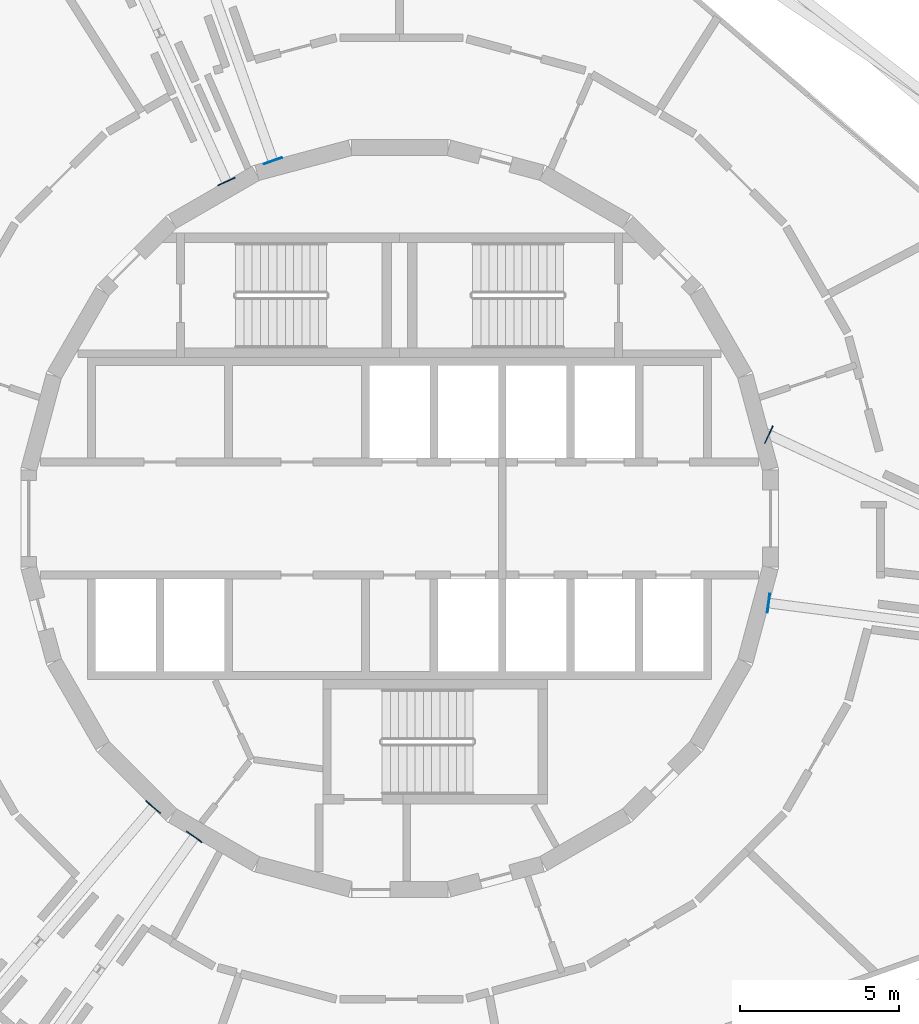
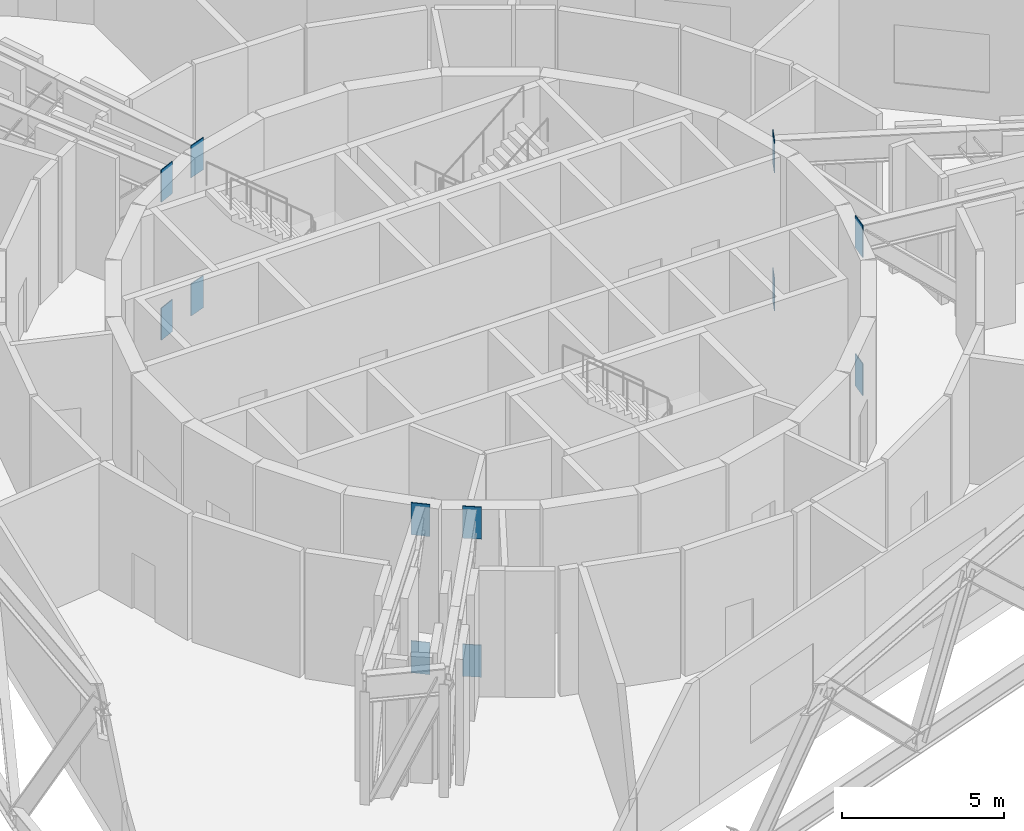
# One storey, part 11 of 12: 12 discrete accessories.
"""IFC4 building model written with IfcOpenShell, lengths in metres."""

import ifcopenshell
import ifcopenshell.guid

model = None  # the IFC model being written
_history = None  # IfcOwnerHistory: only IFC2X3 demands one
_inside = {}  # id of a spatial element -> (the spatial element, [elements in it])
_under = {}  # id of a project, library or spatial element -> (it, [spatial elements below it])
_declared = {}  # id of a project -> (the project, [libraries it declares])
_typed = {}  # id of a type object -> (the type object, [elements of that type])
_made_of = {}  # id of a material, layer set ... -> (it, [elements and type objects made of it])


def new_model(schema):
    """Start an empty IFC model of exactly this schema.

    Asked for "IFC4X3", IfcOpenShell would pick the latest addendum, in which some entities
    have other attributes; the version numbers below select the first issue.
    IFC2X3 requires an IfcOwnerHistory on every rooted entity: one is made here for all.
    """
    global model, _history
    if schema == "IFC4X3":
        model = ifcopenshell.file(schema_version=(4, 3, 0, 0))
    else:
        model = ifcopenshell.file(schema=schema)
    _inside.clear()
    _under.clear()
    _declared.clear()
    _typed.clear()
    _made_of.clear()
    _history = None
    if model.schema == "IFC2X3":
        org = make("IfcOrganization", Name="unknown")
        user = make(
            "IfcPersonAndOrganization",
            ThePerson=make("IfcPerson", FamilyName="unknown"),
            TheOrganization=org,
        )
        app = make(
            "IfcApplication",
            ApplicationDeveloper=org,
            Version="unknown",
            ApplicationFullName="unknown",
            ApplicationIdentifier="unknown",
        )
        _history = make(
            "IfcOwnerHistory",
            OwningUser=user,
            OwningApplication=app,
            ChangeAction="ADDED",
            CreationDate=0,
        )
    return model


def make(cls, **values):
    """One entity of the class cls with the attributes given. An attribute that is None is left unset."""
    return model.create_entity(
        cls, **{name: value for name, value in values.items() if value is not None}
    )


def rooted(cls, **values):
    """An entity with a GlobalId (a new one), such as an element, a storey or a relation."""
    return make(cls, GlobalId=ifcopenshell.guid.new(), OwnerHistory=_history, **values)


def si_unit(unit_type, name, prefix=None):
    """IfcSIUnit, for example si_unit("LENGTHUNIT", "METRE", prefix="MILLI")."""
    return make("IfcSIUnit", UnitType=unit_type, Prefix=prefix, Name=name)


def assignment(units):
    """IfcUnitAssignment: the units of a project."""
    return None if units is None else make("IfcUnitAssignment", Units=units)


def point(xyz):
    """IfcCartesianPoint."""
    return None if xyz is None else make("IfcCartesianPoint", Coordinates=xyz)


def direction(xyz):
    """IfcDirection."""
    return None if xyz is None else make("IfcDirection", DirectionRatios=xyz)


def frame(location, z_axis=None, x_axis=None):
    """IfcAxis2Placement3D, a coordinate frame: its origin and axes. An axis left out is left unset."""
    return make(
        "IfcAxis2Placement3D",
        Location=point(location),
        Axis=direction(z_axis),
        RefDirection=direction(x_axis),
    )


def frame_2d(location, x_axis=None):
    """IfcAxis2Placement2D, a coordinate frame in the plane: its origin and x axis."""
    return make(
        "IfcAxis2Placement2D", Location=point(location), RefDirection=direction(x_axis)
    )


def origin():
    """The frame at (0, 0, 0) with its axes left unset."""
    return frame((0.0, 0.0, 0.0))


def origin_2d():
    """The frame at (0, 0) in the plane with its x axis left unset."""
    return frame_2d((0.0, 0.0))


def place(relative_to, where):
    """IfcLocalPlacement: puts the frame where relative to a parent placement (None: the world)."""
    return make(
        "IfcLocalPlacement", PlacementRelTo=relative_to, RelativePlacement=where
    )


def context(
    kind, dimensions, precision=None, world=None, true_north=None, identifier=None
):
    """IfcGeometricRepresentationContext, for example the 3D "Model" context."""
    return make(
        "IfcGeometricRepresentationContext",
        ContextIdentifier=identifier,
        ContextType=kind,
        CoordinateSpaceDimension=dimensions,
        Precision=precision,
        WorldCoordinateSystem=world,
        TrueNorth=true_north,
    )


def subcontext(parent, identifier, kind, view, scale=None):
    """IfcGeometricRepresentationSubContext, for example "Body" below "Model"."""
    return make(
        "IfcGeometricRepresentationSubContext",
        ContextIdentifier=identifier,
        ContextType=kind,
        ParentContext=parent,
        TargetScale=scale,
        TargetView=view,
    )


def project(units=None, contexts=None):
    """IfcProject with its units and contexts."""
    return rooted(
        "IfcProject",
        Name="project",
        RepresentationContexts=contexts,
        UnitsInContext=assignment(units),
    )


def spatial(cls, under=None, at=None, **own):
    """A site, building, storey or space (cls), placed at a placement, below another one or the project."""
    s = rooted(cls, ObjectPlacement=at, **own)
    if under is not None:
        _under.setdefault(under.id(), (under, []))[1].append(s)
    return s


def profile(cls, at=None, kind="AREA", **sizes):
    """A parametric profile (cls). Its sizes go by their IFC names, for example OverallWidth=200.0."""
    return make(cls, ProfileType=kind, Position=at, **sizes)


def rectangle(**sizes):
    """IfcRectangleProfileDef."""
    return profile("IfcRectangleProfileDef", **sizes)


def extrude(swept, where, along, depth):
    """IfcExtrudedAreaSolid: the profile swept, set in the frame where, extruded along a direction by depth."""
    return make(
        "IfcExtrudedAreaSolid",
        SweptArea=swept,
        Position=where,
        ExtrudedDirection=direction(along),
        Depth=depth,
    )


def shape(context_of_items, identifier, shape_type, items):
    """IfcShapeRepresentation: the items that make up one representation, for example the "Body"."""
    return make(
        "IfcShapeRepresentation",
        ContextOfItems=context_of_items,
        RepresentationIdentifier=identifier,
        RepresentationType=shape_type,
        Items=items,
    )


def material(Name=None, Category=None):
    """IfcMaterial."""
    return make("IfcMaterial", Name=Name, Category=Category)


def layer(
    of_material, thickness, ventilated=None, Name=None, Category=None, Priority=None
):
    """IfcMaterialLayer: one layer of a wall or slab, of a material (None: an air gap)."""
    return make(
        "IfcMaterialLayer",
        Material=of_material,
        LayerThickness=thickness,
        IsVentilated=ventilated,
        Name=Name,
        Category=Category,
        Priority=Priority,
    )


def layer_set(layers, Name=None):
    """IfcMaterialLayerSet."""
    return make("IfcMaterialLayerSet", MaterialLayers=layers, LayerSetName=Name)


def made_of(thing, what):
    """Note that an element or type object is made of a material, layer set ...; save() writes the relation."""
    if what is not None:
        _made_of.setdefault(what.id(), (what, []))[1].append(thing)
    return thing


def type_object(cls, material=None, **own):
    """A type object (cls), such as IfcWallType, which elements share."""
    return made_of(rooted(cls, **own), material)


def element(
    cls,
    number,
    at=None,
    inside=None,
    cuts=None,
    type_object=None,
    material=None,
    context=None,
    identifier="Body",
    shape_type=None,
    held_by="IfcProductDefinitionShape",
    body=None,
    shapes=None,
    **own,
):
    """One element of the class cls, such as IfcWall. Its Tag is "e" and its number.

    at: its placement. inside: the storey or other place that contains it. cuts: it is an
    opening in that element (IfcRelVoidsElement). A single representation is given by context,
    identifier, shape_type and body (its items); several are given by shapes. held_by: the class
    of the entity that holds the representations. save() writes the other relations.
    """
    e = rooted(cls, Tag="e%d" % number, ObjectPlacement=at, **own)
    if body is not None:
        shapes = [shape(context, identifier, shape_type, body)]
    if shapes is not None:
        e.Representation = make(held_by, Representations=shapes)
    if inside is not None:
        _inside.setdefault(inside.id(), (inside, []))[1].append(e)
    if cuts is not None:
        rooted(
            "IfcRelVoidsElement", RelatingBuildingElement=cuts, RelatedOpeningElement=e
        )
    if type_object is not None:
        _typed.setdefault(type_object.id(), (type_object, []))[1].append(e)
    return made_of(e, material)


def aggregate(whole, parts):
    """IfcRelAggregates: a whole, such as a stair, and the parts it consists of."""
    return rooted("IfcRelAggregates", RelatingObject=whole, RelatedObjects=parts)


def save(model, path):
    """Write the relations noted so far, then the file.

    IfcRelAggregates (storeys below a building ...), IfcRelContainedInSpatialStructure (elements
    in a storey), IfcRelDefinesByType, IfcRelAssociatesMaterial and IfcRelDeclares: one each for
    every whole, place, type object, material and project.
    """
    for whole, parts in _under.values():
        aggregate(whole, parts)
    for where, things in _inside.values():
        rooted(
            "IfcRelContainedInSpatialStructure",
            RelatedElements=things,
            RelatingStructure=where,
        )
    for kind, things in _typed.values():
        rooted("IfcRelDefinesByType", RelatedObjects=things, RelatingType=kind)
    for what, things in _made_of.values():
        rooted("IfcRelAssociatesMaterial", RelatedObjects=things, RelatingMaterial=what)
    for by, libraries in _declared.values():
        rooted("IfcRelDeclares", RelatingContext=by, RelatedDefinitions=libraries)
    model.write(path)


model = new_model("IFC4")

# Units and contexts
model_context = context("Model", 3, precision=1e-05, world=origin(), true_north=direction((0.0, 1.0)))
body_context = subcontext(model_context, "Body", "Model", "MODEL_VIEW")
ifc_project = project(units=[si_unit("LENGTHUNIT", "METRE"), si_unit("AREAUNIT", "SQUARE_METRE"), si_unit("VOLUMEUNIT", "CUBIC_METRE"), si_unit("PLANEANGLEUNIT", "RADIAN"), si_unit("MASSUNIT", "GRAM", prefix="KILO")], contexts=[model_context])

# Site, building, storey
site_placement = place(None, origin())
site = spatial("IfcSite", under=ifc_project, at=site_placement, CompositionType="ELEMENT")
building_placement = place(site_placement, origin())
building = spatial("IfcBuilding", under=site, at=building_placement, Name="Spindle Arch Residences", CompositionType="ELEMENT")
storey_placement = place(building_placement, frame((0.0, 0.0, 183.199951171875)))
storey = spatial("IfcBuildingStorey", under=building, at=storey_placement, Name="L46", CompositionType="ELEMENT", Elevation=183.199951171875)

# Discrete accessories
ifc_material = material(Name="Steel S355J2, hot-dip galvanised", Category="steel")
ifc_layer = layer(ifc_material, 0.030029296875)
ifc_layer_set = layer_set([ifc_layer], Name="Cast-in plate 30x600x1208")
discrete_accessory_type = type_object("IfcDiscreteAccessoryType", Name="Cast-in plate 30x600x1208", PredefinedType="ANCHORPLATE", material=ifc_layer_set)
for number, where, z_axis, x_axis, name in (
    (1, (11.590087890625, -2.656005859375, -1.557861328125), (0.0, 0.0, 1.0), (0.991695646627, -0.128606937845, 0.0), "Cast-in plate"),
    (2, (11.590087890625, -2.656005859375, 3.64208984375), (0.0, 0.0, 1.0), (0.991695646627, -0.128606937845, 0.0), "Cast-in plate"),
    (3, (11.5986328125, 2.636962890625, -1.557861328125), (0.0, 0.0, 1.0), (0.906542943512, -0.422113600313, 0.0), "Cast-in plate"),
    (4, (11.5986328125, 2.636962890625, 3.64208984375), (0.0, 0.0, 1.0), (0.906542943512, -0.422113600313, 0.0), "Cast-in plate"),
    (5, (-3.978759765625, 11.235595703125, -1.557861328125), (0.0, 0.0, 1.0), (-0.333805214013, 0.942642073694, 0.0), "Cast-in plate"),
    (6, (-3.978759765625, 11.235595703125, 3.64208984375), (0.0, 0.0, 1.0), (-0.333805214013, 0.942642073694, 0.0), "Cast-in plate"),
    (7, (-5.4384765625, 10.580810546875, -1.557861328125), (0.0, 0.0, 1.0), (-0.411673422216, 0.91133143995, 0.0), "Cast-in plate"),
    (8, (-5.4384765625, 10.580810546875, 3.64208984375), (0.0, 0.0, 1.0), (-0.411673422216, 0.91133143995, 0.0), "Cast-in plate"),
    (9, (-7.74072265625, -9.063232421875, -1.557861328125), (0.0, 0.0, 1.0), (-0.64944804833, -0.7604059656, 0.0), "Cast-in plate"),
    (10, (-7.74072265625, -9.063232421875, 3.64208984375), (0.0, 0.0, 1.0), (-0.64944804833, -0.7604059656, 0.0), "Cast-in plate"),
    (11, (-6.44384765625, -10.000244140625, -1.557861328125), (0.0, 0.0, 1.0), (-0.583398049624, -0.8121863799, 0.0), "Cast-in plate"),
    (12, (-6.44384765625, -10.000244140625, 3.64208984375), (0.0, 0.0, 1.0), (-0.583398049624, -0.8121863799, 0.0), "Cast-in plate"),
):
    element("IfcDiscreteAccessory", number, at=place(storey_placement, frame(where, z_axis=z_axis, x_axis=x_axis)), inside=storey, type_object=discrete_accessory_type, Name=name, PredefinedType="ANCHORPLATE", context=body_context, shape_type="SweptSolid", body=[
        extrude(rectangle(XDim=0.030029296875, YDim=0.60009765625, at=origin_2d()), origin(), (0.0, 0.0, 1.0), 1.2080078125),
    ])

save(model, "model.ifc")
